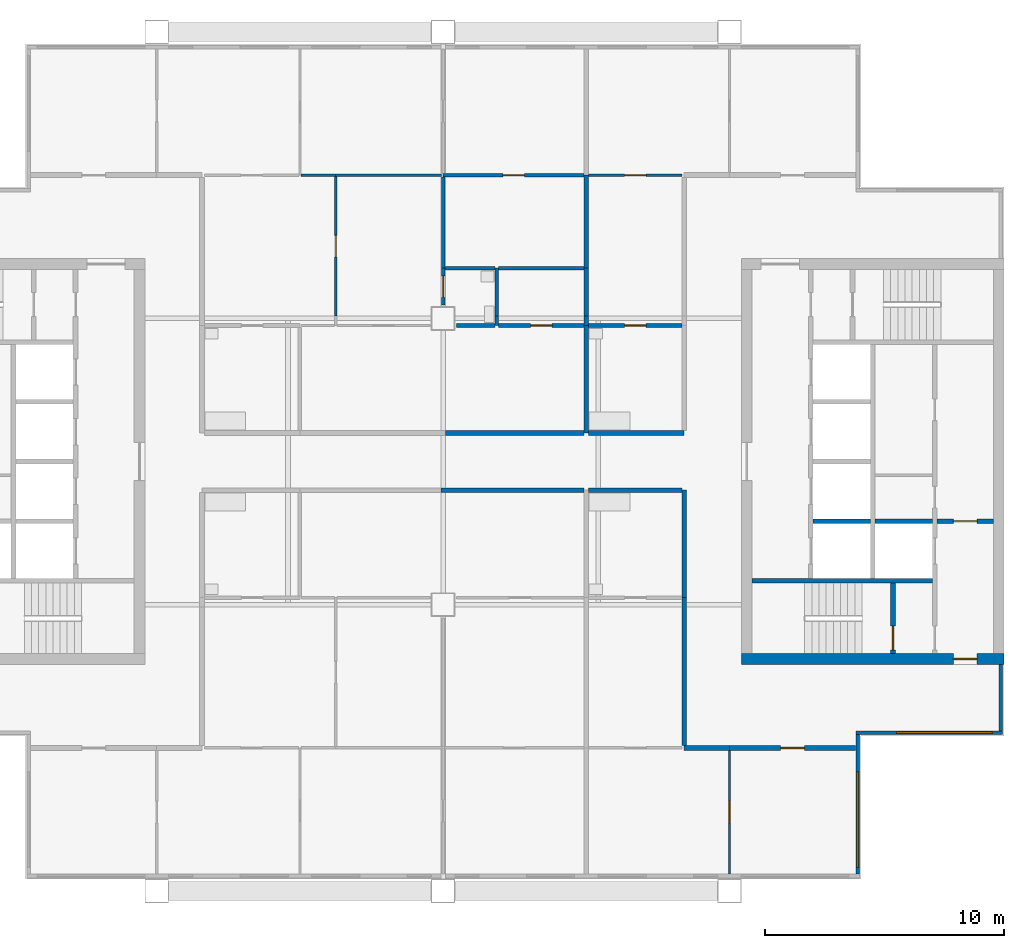
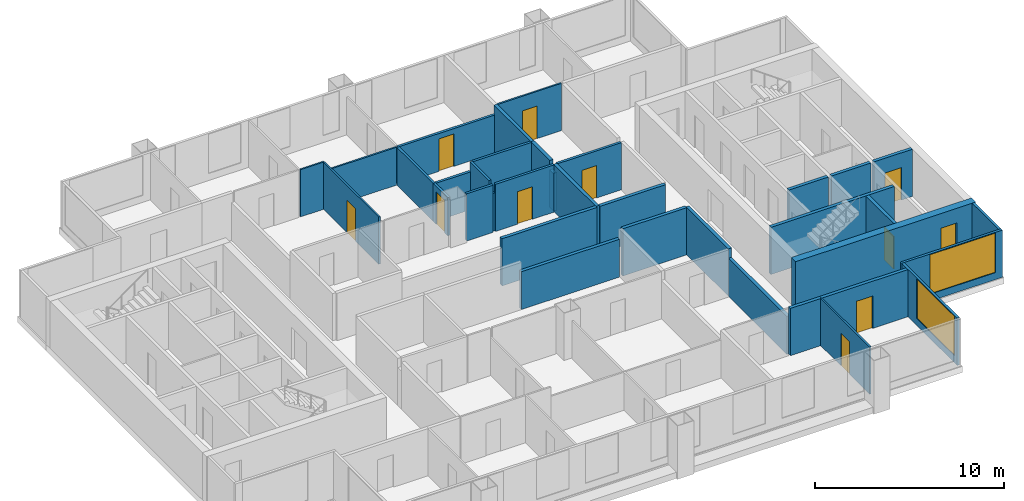
# One storey, part 4 of 8: 36 walls, 11 doors, 2 windows, 13 openings.
"""IFC4 building model written with IfcOpenShell, lengths in metres."""

import ifcopenshell
import ifcopenshell.guid

model = None  # the IFC model being written
_history = None  # IfcOwnerHistory: only IFC2X3 demands one
_inside = {}  # id of a spatial element -> (the spatial element, [elements in it])
_under = {}  # id of a project, library or spatial element -> (it, [spatial elements below it])
_declared = {}  # id of a project -> (the project, [libraries it declares])
_typed = {}  # id of a type object -> (the type object, [elements of that type])
_made_of = {}  # id of a material, layer set ... -> (it, [elements and type objects made of it])


def new_model(schema):
    """Start an empty IFC model of exactly this schema.

    Asked for "IFC4X3", IfcOpenShell would pick the latest addendum, in which some entities
    have other attributes; the version numbers below select the first issue.
    IFC2X3 requires an IfcOwnerHistory on every rooted entity: one is made here for all.
    """
    global model, _history
    if schema == "IFC4X3":
        model = ifcopenshell.file(schema_version=(4, 3, 0, 0))
    else:
        model = ifcopenshell.file(schema=schema)
    _inside.clear()
    _under.clear()
    _declared.clear()
    _typed.clear()
    _made_of.clear()
    _history = None
    if model.schema == "IFC2X3":
        org = make("IfcOrganization", Name="unknown")
        user = make(
            "IfcPersonAndOrganization",
            ThePerson=make("IfcPerson", FamilyName="unknown"),
            TheOrganization=org,
        )
        app = make(
            "IfcApplication",
            ApplicationDeveloper=org,
            Version="unknown",
            ApplicationFullName="unknown",
            ApplicationIdentifier="unknown",
        )
        _history = make(
            "IfcOwnerHistory",
            OwningUser=user,
            OwningApplication=app,
            ChangeAction="ADDED",
            CreationDate=0,
        )
    return model


def make(cls, **values):
    """One entity of the class cls with the attributes given. An attribute that is None is left unset."""
    return model.create_entity(
        cls, **{name: value for name, value in values.items() if value is not None}
    )


def rooted(cls, **values):
    """An entity with a GlobalId (a new one), such as an element, a storey or a relation."""
    return make(cls, GlobalId=ifcopenshell.guid.new(), OwnerHistory=_history, **values)


def si_unit(unit_type, name, prefix=None):
    """IfcSIUnit, for example si_unit("LENGTHUNIT", "METRE", prefix="MILLI")."""
    return make("IfcSIUnit", UnitType=unit_type, Prefix=prefix, Name=name)


def assignment(units):
    """IfcUnitAssignment: the units of a project."""
    return None if units is None else make("IfcUnitAssignment", Units=units)


def point(xyz):
    """IfcCartesianPoint."""
    return None if xyz is None else make("IfcCartesianPoint", Coordinates=xyz)


def direction(xyz):
    """IfcDirection."""
    return None if xyz is None else make("IfcDirection", DirectionRatios=xyz)


def frame(location, z_axis=None, x_axis=None):
    """IfcAxis2Placement3D, a coordinate frame: its origin and axes. An axis left out is left unset."""
    return make(
        "IfcAxis2Placement3D",
        Location=point(location),
        Axis=direction(z_axis),
        RefDirection=direction(x_axis),
    )


def frame_2d(location, x_axis=None):
    """IfcAxis2Placement2D, a coordinate frame in the plane: its origin and x axis."""
    return make(
        "IfcAxis2Placement2D", Location=point(location), RefDirection=direction(x_axis)
    )


def origin():
    """The frame at (0, 0, 0) with its axes left unset."""
    return frame((0.0, 0.0, 0.0))


def place(relative_to, where):
    """IfcLocalPlacement: puts the frame where relative to a parent placement (None: the world)."""
    return make(
        "IfcLocalPlacement", PlacementRelTo=relative_to, RelativePlacement=where
    )


def context(
    kind, dimensions, precision=None, world=None, true_north=None, identifier=None
):
    """IfcGeometricRepresentationContext, for example the 3D "Model" context."""
    return make(
        "IfcGeometricRepresentationContext",
        ContextIdentifier=identifier,
        ContextType=kind,
        CoordinateSpaceDimension=dimensions,
        Precision=precision,
        WorldCoordinateSystem=world,
        TrueNorth=true_north,
    )


def subcontext(parent, identifier, kind, view, scale=None):
    """IfcGeometricRepresentationSubContext, for example "Body" below "Model"."""
    return make(
        "IfcGeometricRepresentationSubContext",
        ContextIdentifier=identifier,
        ContextType=kind,
        ParentContext=parent,
        TargetScale=scale,
        TargetView=view,
    )


def project(units=None, contexts=None):
    """IfcProject with its units and contexts."""
    return rooted(
        "IfcProject",
        Name="project",
        RepresentationContexts=contexts,
        UnitsInContext=assignment(units),
    )


def spatial(cls, under=None, at=None, **own):
    """A site, building, storey or space (cls), placed at a placement, below another one or the project."""
    s = rooted(cls, ObjectPlacement=at, **own)
    if under is not None:
        _under.setdefault(under.id(), (under, []))[1].append(s)
    return s


def profile(cls, at=None, kind="AREA", **sizes):
    """A parametric profile (cls). Its sizes go by their IFC names, for example OverallWidth=200.0."""
    return make(cls, ProfileType=kind, Position=at, **sizes)


def rectangle(**sizes):
    """IfcRectangleProfileDef."""
    return profile("IfcRectangleProfileDef", **sizes)


def extrude(swept, where, along, depth):
    """IfcExtrudedAreaSolid: the profile swept, set in the frame where, extruded along a direction by depth."""
    return make(
        "IfcExtrudedAreaSolid",
        SweptArea=swept,
        Position=where,
        ExtrudedDirection=direction(along),
        Depth=depth,
    )


def shape(context_of_items, identifier, shape_type, items):
    """IfcShapeRepresentation: the items that make up one representation, for example the "Body"."""
    return make(
        "IfcShapeRepresentation",
        ContextOfItems=context_of_items,
        RepresentationIdentifier=identifier,
        RepresentationType=shape_type,
        Items=items,
    )


def material(Name=None, Category=None):
    """IfcMaterial."""
    return make("IfcMaterial", Name=Name, Category=Category)


def layer(
    of_material, thickness, ventilated=None, Name=None, Category=None, Priority=None
):
    """IfcMaterialLayer: one layer of a wall or slab, of a material (None: an air gap)."""
    return make(
        "IfcMaterialLayer",
        Material=of_material,
        LayerThickness=thickness,
        IsVentilated=ventilated,
        Name=Name,
        Category=Category,
        Priority=Priority,
    )


def layer_set(layers, Name=None):
    """IfcMaterialLayerSet."""
    return make("IfcMaterialLayerSet", MaterialLayers=layers, LayerSetName=Name)


def made_of(thing, what):
    """Note that an element or type object is made of a material, layer set ...; save() writes the relation."""
    if what is not None:
        _made_of.setdefault(what.id(), (what, []))[1].append(thing)
    return thing


def type_object(cls, material=None, **own):
    """A type object (cls), such as IfcWallType, which elements share."""
    return made_of(rooted(cls, **own), material)


def element(
    cls,
    number,
    at=None,
    inside=None,
    cuts=None,
    type_object=None,
    material=None,
    context=None,
    identifier="Body",
    shape_type=None,
    held_by="IfcProductDefinitionShape",
    body=None,
    shapes=None,
    **own,
):
    """One element of the class cls, such as IfcWall. Its Tag is "e" and its number.

    at: its placement. inside: the storey or other place that contains it. cuts: it is an
    opening in that element (IfcRelVoidsElement). A single representation is given by context,
    identifier, shape_type and body (its items); several are given by shapes. held_by: the class
    of the entity that holds the representations. save() writes the other relations.
    """
    e = rooted(cls, Tag="e%d" % number, ObjectPlacement=at, **own)
    if body is not None:
        shapes = [shape(context, identifier, shape_type, body)]
    if shapes is not None:
        e.Representation = make(held_by, Representations=shapes)
    if inside is not None:
        _inside.setdefault(inside.id(), (inside, []))[1].append(e)
    if cuts is not None:
        rooted(
            "IfcRelVoidsElement", RelatingBuildingElement=cuts, RelatedOpeningElement=e
        )
    if type_object is not None:
        _typed.setdefault(type_object.id(), (type_object, []))[1].append(e)
    return made_of(e, material)


def fill(opening, filler):
    """IfcRelFillsElement: the door or window that sits in an opening."""
    return rooted(
        "IfcRelFillsElement",
        RelatingOpeningElement=opening,
        RelatedBuildingElement=filler,
    )


def aggregate(whole, parts):
    """IfcRelAggregates: a whole, such as a stair, and the parts it consists of."""
    return rooted("IfcRelAggregates", RelatingObject=whole, RelatedObjects=parts)


def save(model, path):
    """Write the relations noted so far, then the file.

    IfcRelAggregates (storeys below a building ...), IfcRelContainedInSpatialStructure (elements
    in a storey), IfcRelDefinesByType, IfcRelAssociatesMaterial and IfcRelDeclares: one each for
    every whole, place, type object, material and project.
    """
    for whole, parts in _under.values():
        aggregate(whole, parts)
    for where, things in _inside.values():
        rooted(
            "IfcRelContainedInSpatialStructure",
            RelatedElements=things,
            RelatingStructure=where,
        )
    for kind, things in _typed.values():
        rooted("IfcRelDefinesByType", RelatedObjects=things, RelatingType=kind)
    for what, things in _made_of.values():
        rooted("IfcRelAssociatesMaterial", RelatedObjects=things, RelatingMaterial=what)
    for by, libraries in _declared.values():
        rooted("IfcRelDeclares", RelatingContext=by, RelatedDefinitions=libraries)
    model.write(path)


model = new_model("IFC4")

# Units and contexts
model_context = context("Model", 3, precision=1e-05, world=origin(), true_north=direction((0.0, 1.0)))
body_context = subcontext(model_context, "Body", "Model", "MODEL_VIEW")
ifc_project = project(units=[si_unit("LENGTHUNIT", "METRE"), si_unit("AREAUNIT", "SQUARE_METRE"), si_unit("VOLUMEUNIT", "CUBIC_METRE"), si_unit("PLANEANGLEUNIT", "RADIAN"), si_unit("MASSUNIT", "GRAM", prefix="KILO")], contexts=[model_context])

# Site, building, storey
site_placement = place(None, origin())
site = spatial("IfcSite", under=ifc_project, at=site_placement, CompositionType="ELEMENT")
building_placement = place(site_placement, origin())
building = spatial("IfcBuilding", under=site, at=building_placement, Name="Kitamizu Gate Tower and Museum", CompositionType="ELEMENT")
storey_placement = place(building_placement, frame((0.0, 0.0, 262.800048828125)))
storey = spatial("IfcBuildingStorey", under=building, at=storey_placement, Name="L71", CompositionType="ELEMENT", Elevation=262.800048828125)

# Wall, opening, door
ifc_material_1 = material(Name="Concrete Fc42", Category="concrete")
ifc_layer_1 = layer(ifc_material_1, 0.449951171875)
ifc_layer_set_1 = layer_set([ifc_layer_1], Name="Concrete Fc42")
wall_type_1 = type_object("IfcWallType", Name="Core wall 450 EI 90", PredefinedType="SHEAR", material=ifc_layer_set_1)
wall_1_placement = place(storey_placement, frame((59.5, 21.72509765625, 0.0), z_axis=(0.0, 0.0, 1.0), x_axis=(-1.0, 0.0, 0.0)))
wall_1 = element("IfcWall", 1, at=wall_1_placement, inside=storey, type_object=wall_type_1, Name="Core wall ES", PredefinedType="SHEAR", context=body_context, shape_type="SweptSolid", body=[
    extrude(rectangle(XDim=11.0, YDim=0.449951171875, at=frame_2d((5.5, 0.0))), origin(), (0.0, 0.0, 1.0), 3.050048828125),
])
opening_1_placement = place(wall_1_placement, frame((1.125, 0.0, 0.0)))
opening_1 = element("IfcOpeningElement", 2, at=opening_1_placement, cuts=wall_1, Name="Opening L71-044", PredefinedType="OPENING", context=body_context, shape_type="SweptSolid", body=[
    extrude(rectangle(XDim=1.0, YDim=2.10009765625, at=frame_2d((0.5, 1.050048828125))), frame((0.0, 0.23486328125, 0.0), z_axis=(0.0, -1.0, 0.0), x_axis=(1.0, 0.0, 0.0)), (0.0, 0.0, 1.0), 0.469970703125),
])
ifc_material_2 = material(Name="Hollow metal door set")
door_type_1 = type_object("IfcDoorType", Name="Fire door 1000", OperationType="NOTDEFINED", PredefinedType="DOOR", material=ifc_material_2)
door_1_placement = place(opening_1_placement, frame((1.0, 0.0, 0.0), x_axis=(-1.0, 0.0, 0.0)))
door_1 = element("IfcDoor", 3, at=door_1_placement, inside=storey, type_object=door_type_1, Name="Fire-fighting lobby door L71-044", OperationType="SINGLE_SWING_RIGHT", OverallHeight=2.10009765625, OverallWidth=1.0, PredefinedType="DOOR", context=body_context, shape_type="SweptSolid", body=[
    extrude(rectangle(XDim=1.0, YDim=2.10009765625, at=frame_2d((0.5, 1.050048828125))), frame((0.0, 0.02490234375, 0.0), z_axis=(0.0, -1.0, 0.0), x_axis=(1.0, 0.0, 0.0)), (0.0, 0.0, 1.0), 0.050048828125),
])
fill(opening_1, door_1)

# Walls
ifc_material_3 = material(Name="Gypsum board on galvanised stud")
ifc_layer_2 = layer(ifc_material_3, 0.10009765625)
ifc_layer_set_2 = layer_set([ifc_layer_2], Name="Gypsum board on galvanised stud")
wall_type_2 = type_object("IfcWallType", Name="Partition 100 NOT RATED", PredefinedType="PARTITIONING", material=ifc_layer_set_2)
wall_2_placement = place(storey_placement, frame((30.050048828125, 42.0, 0.0), z_axis=(0.0, 0.0, 1.0), x_axis=(1.0, 0.0, 0.0)))
element("IfcWall", 4, at=wall_2_placement, inside=storey, type_object=wall_type_2, Name="Partition L71-032", PredefinedType="PARTITIONING", context=body_context, shape_type="SweptSolid", body=[
    extrude(rectangle(XDim=1.449951171875, YDim=0.10009765625, at=frame_2d((0.72509765625, 0.0))), origin(), (0.0, 0.0, 1.0), 3.050048828125),
])
wall_3_placement = place(storey_placement, frame((31.5, 42.0, 0.0), z_axis=(0.0, 0.0, 1.0), x_axis=(1.0, 0.0, 0.0)))
element("IfcWall", 5, at=wall_3_placement, inside=storey, type_object=wall_type_2, Name="Partition L71-033", PredefinedType="PARTITIONING", context=body_context, shape_type="SweptSolid", body=[
    extrude(rectangle(XDim=4.425048828125, YDim=0.10009765625, at=frame_2d((2.21240234375, 0.0))), origin(), (0.0, 0.0, 1.0), 2.449951171875),
])

# Wall, opening, door
wall_4_placement = place(storey_placement, frame((31.5, 36.10009765625, 0.0), z_axis=(0.0, 0.0, 1.0), x_axis=(0.0, 1.0, 0.0)))
wall_4 = element("IfcWall", 6, at=wall_4_placement, inside=storey, type_object=wall_type_2, Name="Partition L71-037", PredefinedType="PARTITIONING", context=body_context, shape_type="SweptSolid", body=[
    extrude(rectangle(XDim=5.849853515625, YDim=0.10009765625, at=frame_2d((2.9248046875, 0.0))), origin(), (0.0, 0.0, 1.0), 3.050048828125),
])
opening_2_placement = place(wall_4_placement, frame((2.47509765625, 0.0, 0.0)))
opening_2 = element("IfcOpeningElement", 7, at=opening_2_placement, cuts=wall_4, Name="Opening L71-015", PredefinedType="OPENING", context=body_context, shape_type="SweptSolid", body=[
    extrude(rectangle(XDim=0.89990234375, YDim=2.10009765625, at=frame_2d((0.449951171875, 1.050048828125))), frame((0.0, 0.06005859375, 0.0), z_axis=(0.0, -1.0, 0.0), x_axis=(1.0, 0.0, 0.0)), (0.0, 0.0, 1.0), 0.1201171875),
])
ifc_material_4 = material(Name="Timber door set", Category="wood")
door_type_2 = type_object("IfcDoorType", Name="Room door 900", OperationType="NOTDEFINED", PredefinedType="DOOR", material=ifc_material_4)
door_2_placement = place(opening_2_placement, frame((0.89990234375, 0.0, 0.0), x_axis=(-1.0, 0.0, 0.0)))
door_2 = element("IfcDoor", 8, at=door_2_placement, inside=storey, type_object=door_type_2, Name="Door L71-015", OperationType="SINGLE_SWING_LEFT", OverallHeight=2.10009765625, OverallWidth=0.89990234375, PredefinedType="DOOR", context=body_context, shape_type="SweptSolid", body=[
    extrude(rectangle(XDim=0.89990234375, YDim=2.10009765625, at=frame_2d((0.449951171875, 1.050048828125))), frame((0.0, 0.02490234375, 0.0), z_axis=(0.0, -1.0, 0.0), x_axis=(1.0, 0.0, 0.0)), (0.0, 0.0, 1.0), 0.050048828125),
])
fill(opening_2, door_2)

wall_5_placement = place(storey_placement, frame((48.0, 12.719970703125, 0.0), z_axis=(0.0, 0.0, 1.0), x_axis=(0.0, 1.0, 0.0)))
wall_5 = element("IfcWall", 9, at=wall_5_placement, inside=storey, type_object=wall_type_2, Name="Partition L71-059", PredefinedType="PARTITIONING", context=body_context, shape_type="SweptSolid", body=[
    extrude(rectangle(XDim=5.179931640625, YDim=0.10009765625, at=frame_2d((2.58984375, 0.0))), origin(), (0.0, 0.0, 1.0), 3.050048828125),
])
opening_3_placement = place(wall_5_placement, frame((2.139892578125, 0.0, 0.0)))
opening_3 = element("IfcOpeningElement", 10, at=opening_3_placement, cuts=wall_5, Name="Opening L71-022", PredefinedType="OPENING", context=body_context, shape_type="SweptSolid", body=[
    extrude(rectangle(XDim=0.89990234375, YDim=2.10009765625, at=frame_2d((0.449951171875, 1.050048828125))), frame((0.0, 0.06005859375, 0.0), z_axis=(0.0, -1.0, 0.0), x_axis=(1.0, 0.0, 0.0)), (0.0, 0.0, 1.0), 0.1201171875),
])
door_3_placement = place(opening_3_placement, origin())
door_3 = element("IfcDoor", 11, at=door_3_placement, inside=storey, type_object=door_type_2, Name="Door L71-022", OperationType="SINGLE_SWING_LEFT", OverallHeight=2.10009765625, OverallWidth=0.89990234375, PredefinedType="DOOR", context=body_context, shape_type="SweptSolid", body=[
    extrude(rectangle(XDim=0.89990234375, YDim=2.10009765625, at=frame_2d((0.449951171875, 1.050048828125))), frame((0.0, 0.02490234375, 0.0), z_axis=(0.0, -1.0, 0.0), x_axis=(1.0, 0.0, 0.0)), (0.0, 0.0, 1.0), 0.050048828125),
])
fill(opening_3, door_3)

wall_6_placement = place(storey_placement, frame((42.10009765625, 42.0, 0.0), z_axis=(0.0, 0.0, 1.0), x_axis=(1.0, 0.0, 0.0)))
wall_6 = element("IfcWall", 12, at=wall_6_placement, inside=storey, type_object=wall_type_2, Name="Partition L71-068", PredefinedType="PARTITIONING", context=body_context, shape_type="SweptSolid", body=[
    extrude(rectangle(XDim=3.89990234375, YDim=0.10009765625, at=frame_2d((1.949951171875, 0.0))), origin(), (0.0, 0.0, 1.0), 3.050048828125),
])
opening_4_placement = place(wall_6_placement, frame((1.5, 0.0, 0.0)))
opening_4 = element("IfcOpeningElement", 13, at=opening_4_placement, cuts=wall_6, Name="Opening L71-027", PredefinedType="OPENING", context=body_context, shape_type="SweptSolid", body=[
    extrude(rectangle(XDim=0.89990234375, YDim=2.10009765625, at=frame_2d((0.449951171875, 1.050048828125))), frame((0.0, 0.06005859375, 0.0), z_axis=(0.0, -1.0, 0.0), x_axis=(1.0, 0.0, 0.0)), (0.0, 0.0, 1.0), 0.1201171875),
])
door_4_placement = place(opening_4_placement, frame((0.89990234375, 0.0, 0.0), x_axis=(-1.0, 0.0, 0.0)))
door_4 = element("IfcDoor", 14, at=door_4_placement, inside=storey, type_object=door_type_2, Name="Door L71-027", OperationType="SINGLE_SWING_LEFT", OverallHeight=2.10009765625, OverallWidth=0.89990234375, PredefinedType="DOOR", context=body_context, shape_type="SweptSolid", body=[
    extrude(rectangle(XDim=0.89990234375, YDim=2.10009765625, at=frame_2d((0.449951171875, 1.050048828125))), frame((0.0, 0.02490234375, 0.0), z_axis=(0.0, -1.0, 0.0), x_axis=(1.0, 0.0, 0.0)), (0.0, 0.0, 1.0), 0.050048828125),
])
fill(opening_4, door_4)

ifc_material_5 = material(Name="Gypsum board on galvanised stud")
ifc_layer_3 = layer(ifc_material_5, 0.14990234375)
ifc_layer_set_3 = layer_set([ifc_layer_3], Name="Gypsum board on galvanised stud")
wall_type_3 = type_object("IfcWallType", Name="Partition 150", PredefinedType="PARTITIONING", material=ifc_layer_set_3)
wall_7_placement = place(storey_placement, frame((36.0, 42.0, 0.0), z_axis=(0.0, 0.0, 1.0), x_axis=(1.0, 0.0, 0.0)))
wall_7 = element("IfcWall", 15, at=wall_7_placement, inside=storey, type_object=wall_type_3, Name="Partition L71-034", PredefinedType="PARTITIONING", context=body_context, shape_type="SweptSolid", body=[
    extrude(rectangle(XDim=5.89990234375, YDim=0.14990234375, at=frame_2d((2.949951171875, 0.0))), origin(), (0.0, 0.0, 1.0), 2.449951171875),
])
opening_5_placement = place(wall_7_placement, frame((2.5, 0.0, 0.0)))
opening_5 = element("IfcOpeningElement", 16, at=opening_5_placement, cuts=wall_7, Name="Opening L71-017", PredefinedType="OPENING", context=body_context, shape_type="SweptSolid", body=[
    extrude(rectangle(XDim=0.89990234375, YDim=2.10009765625, at=frame_2d((0.449951171875, 1.050048828125))), frame((0.0, 0.0849609375, 0.0), z_axis=(0.0, -1.0, 0.0), x_axis=(1.0, 0.0, 0.0)), (0.0, 0.0, 1.0), 0.169921875),
])
ifc_material_6 = material(Name="Timber door set", Category="wood")
door_type_3 = type_object("IfcDoorType", Name="Bathroom door 900", OperationType="NOTDEFINED", PredefinedType="DOOR", material=ifc_material_6)
door_5_placement = place(opening_5_placement, frame((0.89990234375, 0.0, 0.0), x_axis=(-1.0, 0.0, 0.0)))
door_5 = element("IfcDoor", 17, at=door_5_placement, inside=storey, type_object=door_type_3, Name="Bathroom door L71-017", OperationType="SINGLE_SWING_LEFT", OverallHeight=2.10009765625, OverallWidth=0.89990234375, PredefinedType="DOOR", context=body_context, shape_type="SweptSolid", body=[
    extrude(rectangle(XDim=0.89990234375, YDim=2.10009765625, at=frame_2d((0.449951171875, 1.050048828125))), frame((0.0, 0.02490234375, 0.0), z_axis=(0.0, -1.0, 0.0), x_axis=(1.0, 0.0, 0.0)), (0.0, 0.0, 1.0), 0.050048828125),
])
fill(opening_5, door_5)

wall_8_placement = place(storey_placement, frame((36.0, 36.550048828125, 0.0), z_axis=(0.0, 0.0, 1.0), x_axis=(0.0, 1.0, 0.0)))
wall_8 = element("IfcWall", 18, at=wall_8_placement, inside=storey, type_object=wall_type_3, Name="Partition L71-041", PredefinedType="PARTITIONING", context=body_context, shape_type="SweptSolid", body=[
    extrude(rectangle(XDim=1.550048828125, YDim=0.14990234375, at=frame_2d((0.77490234375, 0.0))), origin(), (0.0, 0.0, 1.0), 2.449951171875),
])
opening_6_placement = place(wall_8_placement, frame((0.324951171875, 0.0, 0.0)))
opening_6 = element("IfcOpeningElement", 19, at=opening_6_placement, cuts=wall_8, Name="Opening L71-016", PredefinedType="OPENING", context=body_context, shape_type="SweptSolid", body=[
    extrude(rectangle(XDim=0.89990234375, YDim=2.10009765625, at=frame_2d((0.449951171875, 1.050048828125))), frame((0.0, 0.0849609375, 0.0), z_axis=(0.0, -1.0, 0.0), x_axis=(1.0, 0.0, 0.0)), (0.0, 0.0, 1.0), 0.169921875),
])
door_6_placement = place(opening_6_placement, frame((0.89990234375, 0.0, 0.0), x_axis=(-1.0, 0.0, 0.0)))
door_6 = element("IfcDoor", 20, at=door_6_placement, inside=storey, type_object=door_type_3, Name="Bathroom door L71-016", OperationType="SINGLE_SWING_RIGHT", OverallHeight=2.10009765625, OverallWidth=0.89990234375, PredefinedType="DOOR", context=body_context, shape_type="SweptSolid", body=[
    extrude(rectangle(XDim=0.89990234375, YDim=2.10009765625, at=frame_2d((0.449951171875, 1.050048828125))), frame((0.0, 0.02490234375, 0.0), z_axis=(0.0, -1.0, 0.0), x_axis=(1.0, 0.0, 0.0)), (0.0, 0.0, 1.0), 0.050048828125),
])
fill(opening_6, door_6)

# Walls
wall_9_placement = place(storey_placement, frame((36.0, 38.10009765625, 0.0), z_axis=(0.0, 0.0, 1.0), x_axis=(0.0, 1.0, 0.0)))
element("IfcWall", 21, at=wall_9_placement, inside=storey, type_object=wall_type_3, Name="Partition L71-042", PredefinedType="PARTITIONING", context=body_context, shape_type="SweptSolid", body=[
    extrude(rectangle(XDim=3.824951171875, YDim=0.14990234375, at=frame_2d((1.91259765625, 0.0))), origin(), (0.0, 0.0, 1.0), 2.449951171875),
])
wall_10_placement = place(storey_placement, frame((38.25, 35.699951171875, 0.0), z_axis=(0.0, 0.0, 1.0), x_axis=(0.0, 1.0, 0.0)))
element("IfcWall", 22, at=wall_10_placement, inside=storey, type_object=wall_type_3, Name="Partition L71-044", PredefinedType="PARTITIONING", context=body_context, shape_type="SweptSolid", body=[
    extrude(rectangle(XDim=0.400146484375, YDim=0.14990234375, at=frame_2d((0.2001953125, 0.0))), origin(), (0.0, 0.0, 1.0), 2.449951171875),
])
wall_11_placement = place(storey_placement, frame((38.25, 36.10009765625, 0.0), z_axis=(0.0, 0.0, 1.0), x_axis=(0.0, 1.0, 0.0)))
element("IfcWall", 23, at=wall_11_placement, inside=storey, type_object=wall_type_3, Name="Partition L71-045", PredefinedType="PARTITIONING", context=body_context, shape_type="SweptSolid", body=[
    extrude(rectangle(XDim=2.0, YDim=0.14990234375, at=frame_2d((1.0, 0.0))), origin(), (0.0, 0.0, 1.0), 3.050048828125),
])
wall_12_placement = place(storey_placement, frame((38.175048828125, 38.10009765625, 0.0), z_axis=(0.0, 0.0, 1.0), x_axis=(-1.0, 0.0, 0.0)))
element("IfcWall", 24, at=wall_12_placement, inside=storey, type_object=wall_type_3, Name="Partition L71-046", PredefinedType="PARTITIONING", context=body_context, shape_type="SweptSolid", body=[
    extrude(rectangle(XDim=2.10009765625, YDim=0.14990234375, at=frame_2d((1.050048828125, 0.0))), origin(), (0.0, 0.0, 1.0), 2.449951171875),
])
wall_13_placement = place(storey_placement, frame((36.550048828125, 35.699951171875, 0.0), z_axis=(0.0, 0.0, 1.0), x_axis=(1.0, 0.0, 0.0)))
element("IfcWall", 25, at=wall_13_placement, inside=storey, type_object=wall_type_3, Name="Partition L71-047", PredefinedType="PARTITIONING", context=body_context, shape_type="SweptSolid", body=[
    extrude(rectangle(XDim=1.625, YDim=0.14990234375, at=frame_2d((0.8125, 0.0))), origin(), (0.0, 0.0, 1.0), 3.050048828125),
])
wall_14_placement = place(storey_placement, frame((41.89990234375, 38.10009765625, 0.0), z_axis=(0.0, 0.0, 1.0), x_axis=(-1.0, 0.0, 0.0)))
element("IfcWall", 26, at=wall_14_placement, inside=storey, type_object=wall_type_3, Name="Partition L71-048", PredefinedType="PARTITIONING", context=body_context, shape_type="SweptSolid", body=[
    extrude(rectangle(XDim=3.574951171875, YDim=0.14990234375, at=frame_2d((1.78759765625, 0.0))), origin(), (0.0, 0.0, 1.0), 3.050048828125),
])

# Wall, opening, door
wall_15_placement = place(storey_placement, frame((38.324951171875, 35.699951171875, 0.0), z_axis=(0.0, 0.0, 1.0), x_axis=(1.0, 0.0, 0.0)))
wall_15 = element("IfcWall", 27, at=wall_15_placement, inside=storey, type_object=wall_type_3, Name="Partition L71-049", PredefinedType="PARTITIONING", context=body_context, shape_type="SweptSolid", body=[
    extrude(rectangle(XDim=3.574951171875, YDim=0.14990234375, at=frame_2d((1.78759765625, 0.0))), origin(), (0.0, 0.0, 1.0), 3.050048828125),
])
opening_7_placement = place(wall_15_placement, frame((1.33740234375, 0.0, 0.0)))
opening_7 = element("IfcOpeningElement", 28, at=opening_7_placement, cuts=wall_15, Name="Opening L71-020", PredefinedType="OPENING", context=body_context, shape_type="SweptSolid", body=[
    extrude(rectangle(XDim=0.89990234375, YDim=2.10009765625, at=frame_2d((0.449951171875, 1.050048828125))), frame((0.0, 0.0849609375, 0.0), z_axis=(0.0, -1.0, 0.0), x_axis=(1.0, 0.0, 0.0)), (0.0, 0.0, 1.0), 0.169921875),
])
door_7_placement = place(opening_7_placement, origin())
door_7 = element("IfcDoor", 29, at=door_7_placement, inside=storey, type_object=door_type_3, Name="Bathroom door L71-020", OperationType="SINGLE_SWING_LEFT", OverallHeight=2.10009765625, OverallWidth=0.89990234375, PredefinedType="DOOR", context=body_context, shape_type="SweptSolid", body=[
    extrude(rectangle(XDim=0.89990234375, YDim=2.10009765625, at=frame_2d((0.449951171875, 1.050048828125))), frame((0.0, 0.02490234375, 0.0), z_axis=(0.0, -1.0, 0.0), x_axis=(1.0, 0.0, 0.0)), (0.0, 0.0, 1.0), 0.050048828125),
])
fill(opening_7, door_7)

wall_16_placement = place(storey_placement, frame((42.10009765625, 35.699951171875, 0.0), z_axis=(0.0, 0.0, 1.0), x_axis=(1.0, 0.0, 0.0)))
wall_16 = element("IfcWall", 30, at=wall_16_placement, inside=storey, type_object=wall_type_3, Name="Partition L71-071", PredefinedType="PARTITIONING", context=body_context, shape_type="SweptSolid", body=[
    extrude(rectangle(XDim=3.89990234375, YDim=0.14990234375, at=frame_2d((1.949951171875, 0.0))), origin(), (0.0, 0.0, 1.0), 3.050048828125),
])
opening_8_placement = place(wall_16_placement, frame((1.5, 0.0, 0.0)))
opening_8 = element("IfcOpeningElement", 31, at=opening_8_placement, cuts=wall_16, Name="Opening L71-028", PredefinedType="OPENING", context=body_context, shape_type="SweptSolid", body=[
    extrude(rectangle(XDim=0.89990234375, YDim=2.10009765625, at=frame_2d((0.449951171875, 1.050048828125))), frame((0.0, 0.0849609375, 0.0), z_axis=(0.0, -1.0, 0.0), x_axis=(1.0, 0.0, 0.0)), (0.0, 0.0, 1.0), 0.169921875),
])
door_8_placement = place(opening_8_placement, frame((0.89990234375, 0.0, 0.0), x_axis=(-1.0, 0.0, 0.0)))
door_8 = element("IfcDoor", 32, at=door_8_placement, inside=storey, type_object=door_type_3, Name="Bathroom door L71-028", OperationType="SINGLE_SWING_RIGHT", OverallHeight=2.10009765625, OverallWidth=0.89990234375, PredefinedType="DOOR", context=body_context, shape_type="SweptSolid", body=[
    extrude(rectangle(XDim=0.89990234375, YDim=2.10009765625, at=frame_2d((0.449951171875, 1.050048828125))), frame((0.0, 0.02490234375, 0.0), z_axis=(0.0, -1.0, 0.0), x_axis=(1.0, 0.0, 0.0)), (0.0, 0.0, 1.0), 0.050048828125),
])
fill(opening_8, door_8)

# Walls
ifc_material_7 = material(Name="Gypsum board on galvanised stud")
ifc_layer_4 = layer(ifc_material_7, 0.199951171875)
ifc_layer_set_4 = layer_set([ifc_layer_4], Name="Gypsum board on galvanised stud")
wall_type_4 = type_object("IfcWallType", Name="Partition 200", PredefinedType="PARTITIONING", material=ifc_layer_set_4)
wall_17_placement = place(storey_placement, frame((41.89990234375, 28.800048828125, 0.0), z_axis=(0.0, 0.0, 1.0), x_axis=(-1.0, 0.0, 0.0)))
element("IfcWall", 33, at=wall_17_placement, inside=storey, type_object=wall_type_4, Name="Partition L71-024", PredefinedType="PARTITIONING", context=body_context, shape_type="SweptSolid", body=[
    extrude(rectangle(XDim=6.0, YDim=0.199951171875, at=frame_2d((3.0, 0.0))), origin(), (0.0, 0.0, 1.0), 2.449951171875),
])
wall_18_placement = place(storey_placement, frame((42.0, 35.699951171875, 0.0), z_axis=(0.0, 0.0, 1.0), x_axis=(0.0, 1.0, 0.0)))
element("IfcWall", 34, at=wall_18_placement, inside=storey, type_object=wall_type_4, Name="Partition L71-050", PredefinedType="PARTITIONING", context=body_context, shape_type="SweptSolid", body=[
    extrude(rectangle(XDim=0.400146484375, YDim=0.199951171875, at=frame_2d((0.2001953125, 0.0))), origin(), (0.0, 0.0, 1.0), 2.449951171875),
])
wall_19_placement = place(storey_placement, frame((42.0, 36.10009765625, 0.0), z_axis=(0.0, 0.0, 1.0), x_axis=(0.0, 1.0, 0.0)))
element("IfcWall", 35, at=wall_19_placement, inside=storey, type_object=wall_type_4, Name="Partition L71-051", PredefinedType="PARTITIONING", context=body_context, shape_type="SweptSolid", body=[
    extrude(rectangle(XDim=2.0, YDim=0.199951171875, at=frame_2d((1.0, 0.0))), origin(), (0.0, 0.0, 1.0), 3.050048828125),
])
wall_20_placement = place(storey_placement, frame((42.0, 38.10009765625, 0.0), z_axis=(0.0, 0.0, 1.0), x_axis=(0.0, 1.0, 0.0)))
element("IfcWall", 36, at=wall_20_placement, inside=storey, type_object=wall_type_4, Name="Partition L71-052", PredefinedType="PARTITIONING", context=body_context, shape_type="SweptSolid", body=[
    extrude(rectangle(XDim=3.89990234375, YDim=0.199951171875, at=frame_2d((1.949951171875, 0.0))), origin(), (0.0, 0.0, 1.0), 3.050048828125),
])
wall_21_placement = place(storey_placement, frame((42.0, 31.199951171875, 0.0), z_axis=(0.0, 0.0, 1.0), x_axis=(0.0, 1.0, 0.0)))
element("IfcWall", 37, at=wall_21_placement, inside=storey, type_object=wall_type_4, Name="Partition L71-056", PredefinedType="PARTITIONING", context=body_context, shape_type="SweptSolid", body=[
    extrude(rectangle(XDim=4.5, YDim=0.199951171875, at=frame_2d((2.25, 0.0))), origin(), (0.0, 0.0, 1.0), 3.050048828125),
])
wall_22_placement = place(storey_placement, frame((36.10009765625, 31.199951171875, 0.0), z_axis=(0.0, 0.0, 1.0), x_axis=(1.0, 0.0, 0.0)))
element("IfcWall", 38, at=wall_22_placement, inside=storey, type_object=wall_type_4, Name="Partition L71-058", PredefinedType="PARTITIONING", context=body_context, shape_type="SweptSolid", body=[
    extrude(rectangle(XDim=5.7998046875, YDim=0.199951171875, at=frame_2d((2.89990234375, 0.0))), origin(), (0.0, 0.0, 1.0), 3.050048828125),
])
wall_23_placement = place(storey_placement, frame((48.0, 18.0, 0.0), z_axis=(0.0, 0.0, 1.0), x_axis=(-1.0, 0.0, 0.0)))
element("IfcWall", 39, at=wall_23_placement, inside=storey, type_object=wall_type_4, Name="Partition L71-061", PredefinedType="PARTITIONING", context=body_context, shape_type="SweptSolid", body=[
    extrude(rectangle(XDim=1.89990234375, YDim=0.199951171875, at=frame_2d((0.949951171875, 0.0))), origin(), (0.0, 0.0, 1.0), 3.050048828125),
])

# Wall, opening, door
wall_24_placement = place(storey_placement, frame((53.280029296875, 18.0, 0.0), z_axis=(0.0, 0.0, 1.0), x_axis=(-1.0, 0.0, 0.0)))
wall_24 = element("IfcWall", 40, at=wall_24_placement, inside=storey, type_object=wall_type_4, Name="Partition L71-062", PredefinedType="PARTITIONING", context=body_context, shape_type="SweptSolid", body=[
    extrude(rectangle(XDim=5.280029296875, YDim=0.199951171875, at=frame_2d((2.64013671875, 0.0))), origin(), (0.0, 0.0, 1.0), 3.050048828125),
])
opening_9_placement = place(wall_24_placement, frame((2.139892578125, 0.0, 0.0)))
opening_9 = element("IfcOpeningElement", 41, at=opening_9_placement, cuts=wall_24, Name="Opening L71-021", PredefinedType="OPENING", context=body_context, shape_type="SweptSolid", body=[
    extrude(rectangle(XDim=1.0, YDim=2.10009765625, at=frame_2d((0.5, 1.050048828125))), frame((0.0, 0.10986328125, 0.0), z_axis=(0.0, -1.0, 0.0), x_axis=(1.0, 0.0, 0.0)), (0.0, 0.0, 1.0), 0.219970703125),
])
ifc_material_8 = material(Name="Timber door set", Category="wood")
door_type_4 = type_object("IfcDoorType", Name="Flat entrance door 1000", OperationType="NOTDEFINED", PredefinedType="DOOR", material=ifc_material_8)
door_9_placement = place(opening_9_placement, origin())
door_9 = element("IfcDoor", 42, at=door_9_placement, inside=storey, type_object=door_type_4, Name="Flat entrance door L71-021", OperationType="SINGLE_SWING_RIGHT", OverallHeight=2.10009765625, OverallWidth=1.0, PredefinedType="DOOR", context=body_context, shape_type="SweptSolid", body=[
    extrude(rectangle(XDim=1.0, YDim=2.10009765625, at=frame_2d((0.5, 1.050048828125))), frame((0.0, 0.02490234375, 0.0), z_axis=(0.0, -1.0, 0.0), x_axis=(1.0, 0.0, 0.0)), (0.0, 0.0, 1.0), 0.050048828125),
])
fill(opening_9, door_9)

# Walls
wall_25_placement = place(storey_placement, frame((46.10009765625, 18.10009765625, 0.0), z_axis=(0.0, 0.0, 1.0), x_axis=(0.0, 1.0, 0.0)))
element("IfcWall", 43, at=wall_25_placement, inside=storey, type_object=wall_type_4, Name="Partition L71-064", PredefinedType="PARTITIONING", context=body_context, shape_type="SweptSolid", body=[
    extrude(rectangle(XDim=6.199951171875, YDim=0.199951171875, at=frame_2d((3.10009765625, 0.0))), origin(), (0.0, 0.0, 1.0), 2.449951171875),
])
wall_26_placement = place(storey_placement, frame((46.10009765625, 24.300048828125, 0.0), z_axis=(0.0, 0.0, 1.0), x_axis=(0.0, 1.0, 0.0)))
element("IfcWall", 44, at=wall_26_placement, inside=storey, type_object=wall_type_4, Name="Partition L71-065", PredefinedType="PARTITIONING", context=body_context, shape_type="SweptSolid", body=[
    extrude(rectangle(XDim=4.5, YDim=0.199951171875, at=frame_2d((2.25, 0.0))), origin(), (0.0, 0.0, 1.0), 3.050048828125),
])
wall_27_placement = place(storey_placement, frame((46.0, 28.800048828125, 0.0), z_axis=(0.0, 0.0, 1.0), x_axis=(-1.0, 0.0, 0.0)))
element("IfcWall", 45, at=wall_27_placement, inside=storey, type_object=wall_type_4, Name="Partition L71-066", PredefinedType="PARTITIONING", context=body_context, shape_type="SweptSolid", body=[
    extrude(rectangle(XDim=3.89990234375, YDim=0.199951171875, at=frame_2d((1.949951171875, 0.0))), origin(), (0.0, 0.0, 1.0), 3.050048828125),
])
wall_28_placement = place(storey_placement, frame((42.10009765625, 31.199951171875, 0.0), z_axis=(0.0, 0.0, 1.0), x_axis=(1.0, 0.0, 0.0)))
element("IfcWall", 46, at=wall_28_placement, inside=storey, type_object=wall_type_4, Name="Partition L71-074", PredefinedType="PARTITIONING", context=body_context, shape_type="SweptSolid", body=[
    extrude(rectangle(XDim=4.0, YDim=0.199951171875, at=frame_2d((2.0, 0.0))), origin(), (0.0, 0.0, 1.0), 3.050048828125),
])
ifc_material_9 = material(Name="Concrete Fc42", Category="concrete")
ifc_layer_5 = layer(ifc_material_9, 0.199951171875)
ifc_layer_set_5 = layer_set([ifc_layer_5], Name="Concrete Fc42")
wall_type_5 = type_object("IfcWallType", Name="Shaft wall 200", PredefinedType="SOLIDWALL", material=ifc_layer_set_5)
wall_29_placement = place(storey_placement, frame((56.5, 25.0, 0.0), z_axis=(0.0, 0.0, 1.0), x_axis=(-1.0, 0.0, 0.0)))
element("IfcWall", 47, at=wall_29_placement, inside=storey, type_object=wall_type_5, Name="Shaft wall ESB", PredefinedType="SOLIDWALL", context=body_context, shape_type="SweptSolid", body=[
    extrude(rectangle(XDim=7.550048828125, YDim=0.199951171875, at=frame_2d((3.77490234375, 0.0))), origin(), (0.0, 0.0, 1.0), 3.050048828125),
])

# Wall, opening, door
wall_30_placement = place(storey_placement, frame((59.050048828125, 27.5, 0.0), z_axis=(0.0, 0.0, 1.0), x_axis=(-1.0, 0.0, 0.0)))
wall_30 = element("IfcWall", 48, at=wall_30_placement, inside=storey, type_object=wall_type_5, Name="Shaft wall EFFN", PredefinedType="SOLIDWALL", context=body_context, shape_type="SweptSolid", body=[
    extrude(rectangle(XDim=2.35009765625, YDim=0.199951171875, at=frame_2d((1.175048828125, 0.0))), origin(), (0.0, 0.0, 1.0), 3.050048828125),
])
opening_10_placement = place(wall_30_placement, frame((0.675048828125, 0.0, 0.0)))
opening_10 = element("IfcOpeningElement", 49, at=opening_10_placement, cuts=wall_30, Name="Opening L71-043", PredefinedType="OPENING", context=body_context, shape_type="SweptSolid", body=[
    extrude(rectangle(XDim=1.0, YDim=2.10009765625, at=frame_2d((0.5, 1.050048828125))), frame((0.0, 0.10986328125, 0.0), z_axis=(0.0, -1.0, 0.0), x_axis=(1.0, 0.0, 0.0)), (0.0, 0.0, 1.0), 0.219970703125),
])
door_10_placement = place(opening_10_placement, origin())
door_10 = element("IfcDoor", 50, at=door_10_placement, inside=storey, type_object=door_type_1, Name="Fire-fighting lobby door L71-043", OperationType="SINGLE_SWING_RIGHT", OverallHeight=2.10009765625, OverallWidth=1.0, PredefinedType="DOOR", context=body_context, shape_type="SweptSolid", body=[
    extrude(rectangle(XDim=1.0, YDim=2.10009765625, at=frame_2d((0.5, 1.050048828125))), frame((0.0, 0.02490234375, 0.0), z_axis=(0.0, -1.0, 0.0), x_axis=(1.0, 0.0, 0.0)), (0.0, 0.0, 1.0), 0.050048828125),
])
fill(opening_10, door_10)

wall_31_placement = place(storey_placement, frame((54.85009765625, 21.949951171875, 0.0), z_axis=(0.0, 0.0, 1.0), x_axis=(0.0, 1.0, 0.0)))
wall_31 = element("IfcWall", 51, at=wall_31_placement, inside=storey, type_object=wall_type_5, Name="Shaft wall ESZ", PredefinedType="SOLIDWALL", context=body_context, shape_type="SweptSolid", body=[
    extrude(rectangle(XDim=2.949951171875, YDim=0.199951171875, at=frame_2d((1.47509765625, 0.0))), origin(), (0.0, 0.0, 1.0), 3.050048828125),
])
opening_11_placement = place(wall_31_placement, frame((0.14990234375, 0.0, 0.0)))
opening_11 = element("IfcOpeningElement", 52, at=opening_11_placement, cuts=wall_31, Name="Opening L71-039", PredefinedType="OPENING", context=body_context, shape_type="SweptSolid", body=[
    extrude(rectangle(XDim=1.0, YDim=2.10009765625, at=frame_2d((0.5, 1.050048828125))), frame((0.0, 0.10986328125, 0.0), z_axis=(0.0, -1.0, 0.0), x_axis=(1.0, 0.0, 0.0)), (0.0, 0.0, 1.0), 0.219970703125),
])
door_11_placement = place(opening_11_placement, origin())
door_11 = element("IfcDoor", 53, at=door_11_placement, inside=storey, type_object=door_type_1, Name="Stair door L71-039", OperationType="SINGLE_SWING_RIGHT", OverallHeight=2.10009765625, OverallWidth=1.0, PredefinedType="DOOR", context=body_context, shape_type="SweptSolid", body=[
    extrude(rectangle(XDim=1.0, YDim=2.10009765625, at=frame_2d((0.5, 1.050048828125))), frame((0.0, 0.02490234375, 0.0), z_axis=(0.0, -1.0, 0.0), x_axis=(1.0, 0.0, 0.0)), (0.0, 0.0, 1.0), 0.050048828125),
])
fill(opening_11, door_11)

# Walls
for number, where, z_axis, x_axis, name in (
    (54, (56.5, 27.5, 0.0), (0.0, 0.0, 1.0), (-1.0, 0.0, 0.0), "Shaft wall EDVW0"),
    (55, (53.89990234375, 27.5, 0.0), (0.0, 0.0, 1.0), (-1.0, 0.0, 0.0), "Shaft wall EDVE0"),
):
    element("IfcWall", number, at=place(storey_placement, frame(where, z_axis=z_axis, x_axis=x_axis)), inside=storey, type_object=wall_type_5, Name=name, PredefinedType="SOLIDWALL", context=body_context, shape_type="SweptSolid", body=[
        extrude(rectangle(XDim=2.39990234375, YDim=0.199951171875, at=frame_2d((1.199951171875, 0.0))), origin(), (0.0, 0.0, 1.0), 3.050048828125),
    ])

# Wall, opening, window
ifc_material_10 = material(Name="Bronze anodised aluminium frame with insulated spandrel and tinted glass", Category="aluminium")
ifc_layer_6 = layer(ifc_material_10, 0.14990234375)
ifc_layer_set_6 = layer_set([ifc_layer_6], Name="Bronze anodised aluminium frame with insulated spandrel and tinted glass")
wall_type_6 = type_object("IfcWallType", Name="WINDOW WALL 150 BRONZE FRAME EI 30", PredefinedType="ELEMENTEDWALL", material=ifc_layer_set_6)
wall_32_placement = place(storey_placement, frame((53.364990234375, 12.7099609375, 0.0), z_axis=(0.0, 0.0, 1.0), x_axis=(0.0, 1.0, 0.0)))
wall_32 = element("IfcWall", 56, at=wall_32_placement, inside=storey, type_object=wall_type_6, Name="Window wall east L71", PredefinedType="ELEMENTEDWALL", context=body_context, shape_type="SweptSolid", body=[
    extrude(rectangle(XDim=5.85009765625, YDim=0.14990234375, at=frame_2d((2.925048828125, 0.0))), origin(), (0.0, 0.0, 1.0), 3.050048828125),
])
opening_12_placement = place(wall_32_placement, frame((0.2900390625, 0.0, 0.449951171875)))
opening_12 = element("IfcOpeningElement", 57, at=opening_12_placement, cuts=wall_32, Name="Opening W16", PredefinedType="OPENING", context=body_context, shape_type="SweptSolid", body=[
    extrude(rectangle(XDim=4.0, YDim=2.550048828125, at=frame_2d((2.0, 1.27490234375))), frame((0.0, 0.0849609375, 0.0), z_axis=(0.0, -1.0, 0.0), x_axis=(1.0, 0.0, 0.0)), (0.0, 0.0, 1.0), 0.169921875),
])
ifc_material_11 = material(Name="Bronze anodised aluminium frame, tinted triple glazing", Category="aluminium")
window_type = type_object("IfcWindowType", Name="WINDOW 4000 x 2550 SILL 450", PartitioningType="SINGLE_PANEL", PredefinedType="WINDOW", material=ifc_material_11)
window_1_placement = place(opening_12_placement, origin())
window_1 = element("IfcWindow", 58, at=window_1_placement, inside=storey, type_object=window_type, Name="Window W16 L71", OverallHeight=2.550048828125, OverallWidth=4.0, PartitioningType="SINGLE_PANEL", PredefinedType="WINDOW", context=body_context, shape_type="SweptSolid", body=[
    extrude(rectangle(XDim=4.0, YDim=2.550048828125, at=frame_2d((2.0, 1.27490234375))), frame((0.0, 0.030029296875, 0.0), z_axis=(0.0, -1.0, 0.0), x_axis=(1.0, 0.0, 0.0)), (0.0, 0.0, 1.0), 0.06005859375),
])
fill(opening_12, window_1)

wall_33_placement = place(storey_placement, frame((53.2900390625, 18.635009765625, 0.0), z_axis=(0.0, 0.0, 1.0), x_axis=(1.0, 0.0, 0.0)))
wall_33 = element("IfcWall", 59, at=wall_33_placement, inside=storey, type_object=wall_type_6, Name="Window wall south L71", PredefinedType="ELEMENTEDWALL", context=body_context, shape_type="SweptSolid", body=[
    extrude(rectangle(XDim=6.14990234375, YDim=0.14990234375, at=frame_2d((3.074951171875, 0.0))), origin(), (0.0, 0.0, 1.0), 3.050048828125),
])
opening_13_placement = place(wall_33_placement, frame((1.7099609375, 0.0, 0.449951171875)))
opening_13 = element("IfcOpeningElement", 60, at=opening_13_placement, cuts=wall_33, Name="Opening W16", PredefinedType="OPENING", context=body_context, shape_type="SweptSolid", body=[
    extrude(rectangle(XDim=4.0, YDim=2.550048828125, at=frame_2d((2.0, 1.27490234375))), frame((0.0, 0.0849609375, 0.0), z_axis=(0.0, -1.0, 0.0), x_axis=(1.0, 0.0, 0.0)), (0.0, 0.0, 1.0), 0.169921875),
])
window_2_placement = place(opening_13_placement, origin())
window_2 = element("IfcWindow", 61, at=window_2_placement, inside=storey, type_object=window_type, Name="Window W16 L71", OverallHeight=2.550048828125, OverallWidth=4.0, PartitioningType="SINGLE_PANEL", PredefinedType="WINDOW", context=body_context, shape_type="SweptSolid", body=[
    extrude(rectangle(XDim=4.0, YDim=2.550048828125, at=frame_2d((2.0, 1.27490234375))), frame((0.0, 0.030029296875, 0.0), z_axis=(0.0, -1.0, 0.0), x_axis=(1.0, 0.0, 0.0)), (0.0, 0.0, 1.0), 0.06005859375),
])
fill(opening_13, window_2)

# Wall
wall_34_placement = place(storey_placement, frame((59.364990234375, 18.7099609375, 0.0), z_axis=(0.0, 0.0, 1.0), x_axis=(0.0, 1.0, 0.0)))
element("IfcWall", 62, at=wall_34_placement, inside=storey, type_object=wall_type_6, Name="Window wall east L71", PredefinedType="ELEMENTEDWALL", context=body_context, shape_type="SweptSolid", body=[
    extrude(rectangle(XDim=2.7900390625, YDim=0.14990234375, at=frame_2d((1.39501953125, 0.0))), origin(), (0.0, 0.0, 1.0), 3.050048828125),
])

save(model, "model.ifc")
